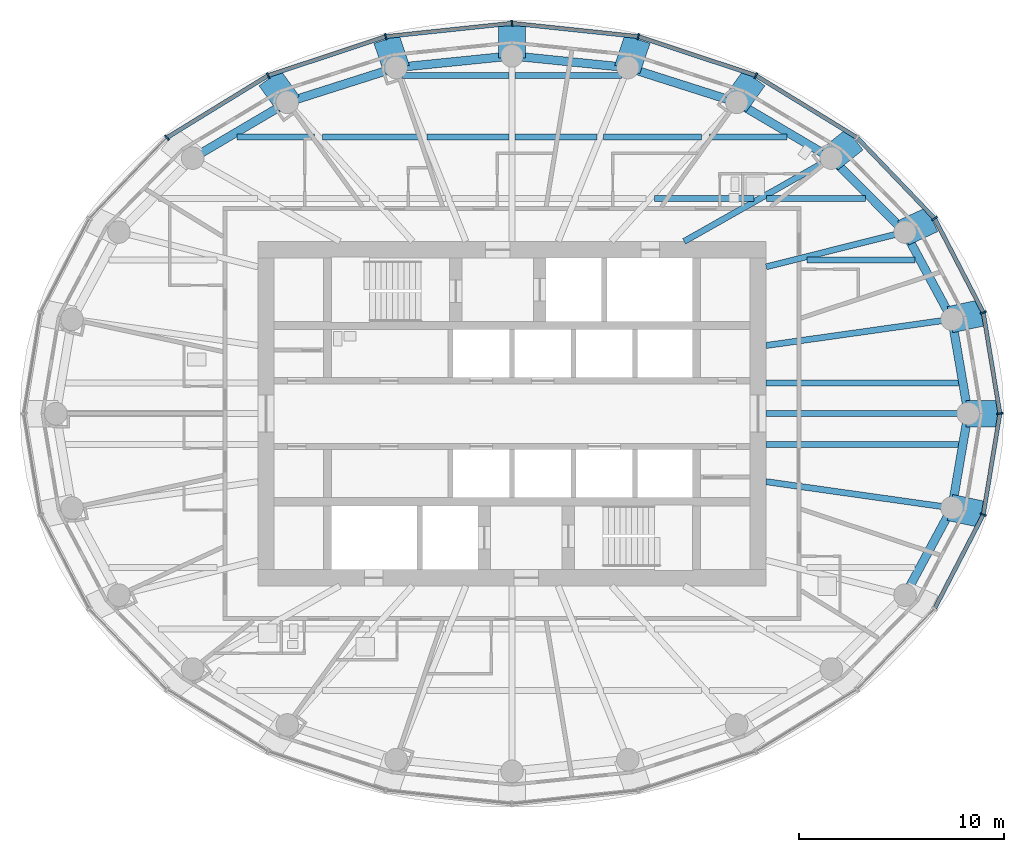
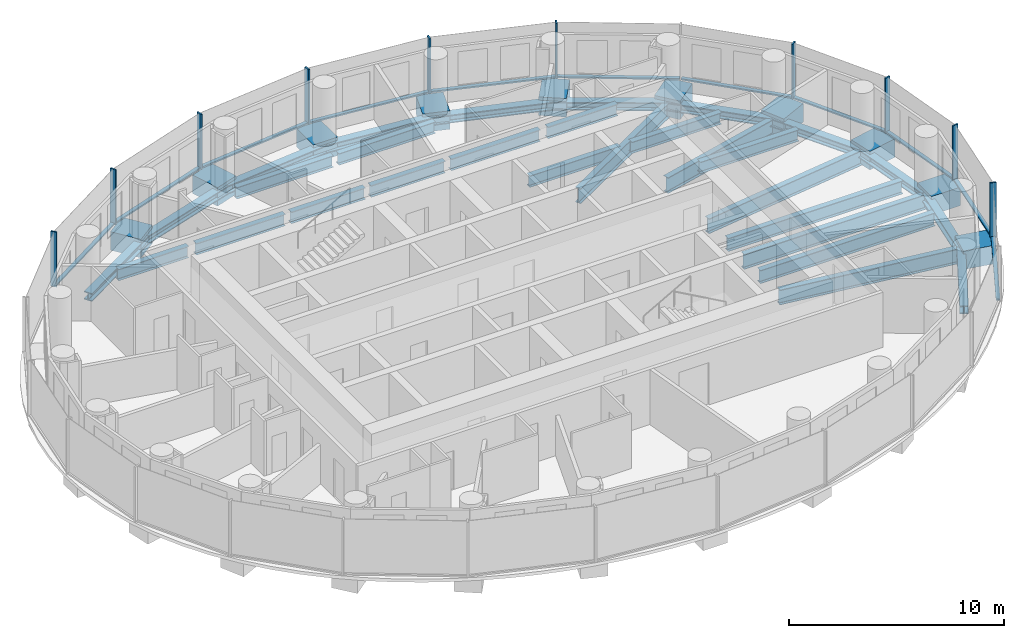
# One storey, part 4 of 16: 39 beams, 21 members, 3 elements without a shape of their own.
"""IFC4 building model written with IfcOpenShell, lengths in metres."""

from ifc_helpers import new_model, si_unit, direction, frame, origin, origin_2d, place, context, subcontext, project, spatial, rectangle, i_section, extrude, material, material_profile, profile_set, type_object, element, aggregate, save


model = new_model("IFC4")

# Units and contexts
model_context = context("Model", 3, precision=1e-05, world=origin(), true_north=direction((0.0, 1.0)))
body_context = subcontext(model_context, "Body", "Model", "MODEL_VIEW")
ifc_project = project(units=[si_unit("LENGTHUNIT", "METRE"), si_unit("AREAUNIT", "SQUARE_METRE"), si_unit("VOLUMEUNIT", "CUBIC_METRE"), si_unit("PLANEANGLEUNIT", "RADIAN"), si_unit("MASSUNIT", "GRAM", prefix="KILO")], contexts=[model_context])

# Site, building, storey
site_placement = place(None, origin())
site = spatial("IfcSite", under=ifc_project, at=site_placement, CompositionType="ELEMENT")
building_placement = place(site_placement, origin())
building = spatial("IfcBuilding", under=site, at=building_placement, Name="Hankou Lantern Tower", CompositionType="ELEMENT")
storey_placement = place(building_placement, frame((0.0, 0.0, 143.39990234375)))
storey = spatial("IfcBuildingStorey", under=building, at=storey_placement, Name="L37", CompositionType="ELEMENT", Elevation=143.39990234375)

# Beams
ifc_material_1 = material(Name="Steel Q355B", Category="steel")
ifc_material_profile_1 = material_profile(ifc_material_1, i_section(OverallWidth=0.4169921875, OverallDepth=0.4580078125, WebThickness=0.030029296875, FlangeThickness=0.050048828125, FilletRadius=0.02197265625, at=origin_2d()), Name="HW458x417x30x50")
ifc_profile_set_1 = profile_set([ifc_material_profile_1], Name="Steel Q355B")
beam_type_1 = type_object("IfcBeamType", Name="EB21 RING BEAM HW458x417x30x50", PredefinedType="SPANDREL", material=ifc_profile_set_1)
beam_1_placement = place(storey_placement, frame((22.25, 0.0, -0.408935546875), z_axis=(-0.168680718946, 0.985670743735, 0.0), x_axis=(-0.985670743735, -0.168680718946, 0.0)))
element("IfcBeam", 1, at=beam_1_placement, inside=storey, type_object=beam_type_1, Name="Ring beam R01-R02 L37", PredefinedType="SPANDREL", context=body_context, shape_type="SweptSolid", body=[
    extrude(i_section(OverallWidth=0.4169921875, OverallDepth=0.4580078125, WebThickness=0.030029296875, FlangeThickness=0.050048828125, FilletRadius=0.02197265625, at=origin_2d()), origin(), (0.0, 0.0, 1.0), 4.667724609375),
])
beam_2_placement = place(storey_placement, frame((21.462646484375, 4.600830078125, -0.408935546875), z_axis=(-0.474051612334, 0.880497057828, 0.0), x_axis=(-0.880497057828, -0.474051612334, 0.0)))
element("IfcBeam", 2, at=beam_2_placement, inside=storey, type_object=beam_type_1, Name="Ring beam R02-R03 L37", PredefinedType="SPANDREL", context=body_context, shape_type="SweptSolid", body=[
    extrude(i_section(OverallWidth=0.4169921875, OverallDepth=0.4580078125, WebThickness=0.030029296875, FlangeThickness=0.050048828125, FilletRadius=0.02197265625, at=origin_2d()), origin(), (0.0, 0.0, 1.0), 4.831787109375),
])
beam_3_placement = place(storey_placement, frame((19.172119140625, 8.855224609375, -0.408935546875), z_axis=(-0.706147278092, 0.708064984054, 0.0), x_axis=(-0.708064984054, -0.706147278092, 0.0)))
element("IfcBeam", 3, at=beam_3_placement, inside=storey, type_object=beam_type_1, Name="Ring beam R03-R04 L37", PredefinedType="SPANDREL", context=body_context, shape_type="SweptSolid", body=[
    extrude(i_section(OverallWidth=0.4169921875, OverallDepth=0.4580078125, WebThickness=0.030029296875, FlangeThickness=0.050048828125, FilletRadius=0.02197265625, at=origin_2d()), origin(), (0.0, 0.0, 1.0), 5.09228515625),
])
beam_4_placement = place(storey_placement, frame((15.576171875, 12.4609375, -0.408935546875), z_axis=(-0.861135888339, 0.508374843806, 0.0), x_axis=(-0.508374843806, -0.861135888339, 0.0)))
element("IfcBeam", 4, at=beam_4_placement, inside=storey, type_object=beam_type_1, Name="Ring beam R04-R05 L37", PredefinedType="SPANDREL", context=body_context, shape_type="SweptSolid", body=[
    extrude(i_section(OverallWidth=0.4169921875, OverallDepth=0.4580078125, WebThickness=0.030029296875, FlangeThickness=0.050048828125, FilletRadius=0.02197265625, at=origin_2d()), origin(), (0.0, 0.0, 1.0), 5.36083984375),
])
beam_5_placement = place(storey_placement, frame((10.959716796875, 15.186279296875, -0.408935546875), z_axis=(-0.952790404271, 0.30362879562, 0.0), x_axis=(-0.30362879562, -0.952790404271, 0.0)))
element("IfcBeam", 5, at=beam_5_placement, inside=storey, type_object=beam_type_1, Name="Ring beam R05-R06 L37", PredefinedType="SPANDREL", context=body_context, shape_type="SweptSolid", body=[
    extrude(i_section(OverallWidth=0.4169921875, OverallDepth=0.4580078125, WebThickness=0.030029296875, FlangeThickness=0.050048828125, FilletRadius=0.02197265625, at=origin_2d()), origin(), (0.0, 0.0, 1.0), 5.56982421875),
])
for number, where, z_axis, x_axis, name in (
    (6, (5.65283203125, 16.87744140625, -0.408935546875), (-0.9949104636, 0.100762936734, 0.0), (-0.100762936734, -0.9949104636, 0.0), "Ring beam R06-R07 L37"),
    (7, (0.0, 17.449951171875, -0.408935546875), (-0.9949104636, -0.100762936734, 0.0), (0.100762936734, -0.9949104636, 0.0), "Ring beam R07-R08 L37"),
):
    element("IfcBeam", number, at=place(storey_placement, frame(where, z_axis=z_axis, x_axis=x_axis)), inside=storey, type_object=beam_type_1, Name=name, PredefinedType="SPANDREL", context=body_context, shape_type="SweptSolid", body=[
        extrude(i_section(OverallWidth=0.4169921875, OverallDepth=0.4580078125, WebThickness=0.030029296875, FlangeThickness=0.050048828125, FilletRadius=0.02197265625, at=origin_2d()), origin(), (0.0, 0.0, 1.0), 5.681640625),
    ])
beam_6_placement = place(storey_placement, frame((-5.65283203125, 16.87744140625, -0.408935546875), z_axis=(-0.952790404271, -0.30362879562, 0.0), x_axis=(0.30362879562, -0.952790404271, 0.0)))
element("IfcBeam", 8, at=beam_6_placement, inside=storey, type_object=beam_type_1, Name="Ring beam R08-R09 L37", PredefinedType="SPANDREL", context=body_context, shape_type="SweptSolid", body=[
    extrude(i_section(OverallWidth=0.4169921875, OverallDepth=0.4580078125, WebThickness=0.030029296875, FlangeThickness=0.050048828125, FilletRadius=0.02197265625, at=origin_2d()), origin(), (0.0, 0.0, 1.0), 5.56982421875),
])
beam_7_placement = place(storey_placement, frame((-10.959716796875, 15.186279296875, -0.408935546875), z_axis=(-0.861135888339, -0.508374843806, 0.0), x_axis=(0.508374843806, -0.861135888339, 0.0)))
element("IfcBeam", 9, at=beam_7_placement, inside=storey, type_object=beam_type_1, Name="Ring beam R09-R10 L37", PredefinedType="SPANDREL", context=body_context, shape_type="SweptSolid", body=[
    extrude(i_section(OverallWidth=0.4169921875, OverallDepth=0.4580078125, WebThickness=0.030029296875, FlangeThickness=0.050048828125, FilletRadius=0.02197265625, at=origin_2d()), origin(), (0.0, 0.0, 1.0), 5.36083984375),
])
beam_8_placement = place(storey_placement, frame((19.172119140625, -8.855224609375, -0.408935546875), z_axis=(0.474051612334, 0.880497057828, 0.0), x_axis=(-0.880497057828, 0.474051612334, 0.0)))
element("IfcBeam", 10, at=beam_8_placement, inside=storey, type_object=beam_type_1, Name="Ring beam R23-R24 L37", PredefinedType="SPANDREL", context=body_context, shape_type="SweptSolid", body=[
    extrude(i_section(OverallWidth=0.4169921875, OverallDepth=0.4580078125, WebThickness=0.030029296875, FlangeThickness=0.050048828125, FilletRadius=0.02197265625, at=origin_2d()), origin(), (0.0, 0.0, 1.0), 4.831787109375),
])
beam_9_placement = place(storey_placement, frame((21.462646484375, -4.600830078125, -0.408935546875), z_axis=(0.168680718946, 0.985670743735, 0.0), x_axis=(-0.985670743735, 0.168680718946, 0.0)))
element("IfcBeam", 11, at=beam_9_placement, inside=storey, type_object=beam_type_1, Name="Ring beam R24-R01 L37", PredefinedType="SPANDREL", context=body_context, shape_type="SweptSolid", body=[
    extrude(i_section(OverallWidth=0.4169921875, OverallDepth=0.4580078125, WebThickness=0.030029296875, FlangeThickness=0.050048828125, FilletRadius=0.02197265625, at=origin_2d()), origin(), (0.0, 0.0, 1.0), 4.667724609375),
])

# Curtain wall, members
ifc_material_2 = material(Name="Glass, dark grey tinted laminated", Category="glass")
curtain_wall_type = type_object("IfcCurtainWallType", Name="CWC OUTER SKIN HIGH-RISE", PredefinedType="USERDEFINED", material=ifc_material_2)
curtain_wall_1_placement = place(storey_placement, origin())
curtain_wall_1 = element("IfcCurtainWall", 12, at=curtain_wall_1_placement, inside=storey, type_object=curtain_wall_type, Name="CWC L37 OS1", ObjectType="OUTER SKIN HIGH-RISE", PredefinedType="USERDEFINED")
ifc_material_3 = material(Name="Aluminium, black anodised", Category="aluminium")
ifc_material_profile_2 = material_profile(ifc_material_3, rectangle(XDim=0.080078125, YDim=0.300048828125, at=origin_2d()), Name="MU1 80X300")
ifc_profile_set_2 = profile_set([ifc_material_profile_2], Name="Aluminium, black anodised")
member_type_1 = type_object("IfcMemberType", Name="MU1 OUTER SKIN MULLION 80X300", PredefinedType="MULLION", material=ifc_profile_set_2)
member_1_placement = place(storey_placement, frame((23.800048828125, 0.0, 0.0), z_axis=(0.0, 0.0, 1.0), x_axis=(-0.162381515188, 0.986728049427, 0.0)))
member_1 = element("IfcMember", 13, at=member_1_placement, type_object=member_type_1, Name="CWC mullion 1", PredefinedType="MULLION", context=body_context, shape_type="SweptSolid", body=[
    extrude(rectangle(XDim=0.080078125, YDim=0.300048828125, at=origin_2d()), origin(), (0.0, 0.0, 1.0), 3.1201171875),
])
member_2_placement = place(storey_placement, frame((22.989013671875, 4.927978515625, 0.0), z_axis=(0.0, 0.0, 1.0), x_axis=(-0.317595577365, 0.94822626479, 0.0)))
member_2 = element("IfcMember", 14, at=member_2_placement, type_object=member_type_1, Name="CWC mullion 2", PredefinedType="MULLION", context=body_context, shape_type="SweptSolid", body=[
    extrude(rectangle(XDim=0.080078125, YDim=0.300048828125, at=origin_2d()), origin(), (0.0, 0.0, 1.0), 3.1201171875),
])
member_3_placement = place(storey_placement, frame((20.611328125, 9.52001953125, 0.0), z_axis=(0.0, 0.0, 1.0), x_axis=(-0.585205735974, 0.810884854084, 0.0)))
member_3 = element("IfcMember", 15, at=member_3_placement, type_object=member_type_1, Name="CWC mullion 3", PredefinedType="MULLION", context=body_context, shape_type="SweptSolid", body=[
    extrude(rectangle(XDim=0.080078125, YDim=0.300048828125, at=origin_2d()), origin(), (0.0, 0.0, 1.0), 3.1201171875),
])
member_4_placement = place(storey_placement, frame((11.89990234375, 16.489013671875, 0.0), z_axis=(0.0, 0.0, 1.0), x_axis=(-0.907841299004, 0.419313934686, 0.0)))
member_4 = element("IfcMember", 16, at=member_4_placement, type_object=member_type_1, Name="CWC mullion 5", PredefinedType="MULLION", context=body_context, shape_type="SweptSolid", body=[
    extrude(rectangle(XDim=0.080078125, YDim=0.300048828125, at=origin_2d()), origin(), (0.0, 0.0, 1.0), 3.1201171875),
])
member_5_placement = place(storey_placement, frame((6.159912109375, 18.39111328125, 0.0), z_axis=(0.0, 0.0, 1.0), x_axis=(-0.977787659625, 0.209597931016, 0.0)))
member_5 = element("IfcMember", 17, at=member_5_placement, type_object=member_type_1, Name="CWC mullion 6", PredefinedType="MULLION", context=body_context, shape_type="SweptSolid", body=[
    extrude(rectangle(XDim=0.080078125, YDim=0.300048828125, at=origin_2d()), origin(), (0.0, 0.0, 1.0), 3.1201171875),
])

curtain_wall_2_placement = place(storey_placement, origin())
curtain_wall_2 = element("IfcCurtainWall", 18, at=curtain_wall_2_placement, inside=storey, type_object=curtain_wall_type, Name="CWC L37 OS2", ObjectType="OUTER SKIN HIGH-RISE", PredefinedType="USERDEFINED")
member_6_placement = place(storey_placement, frame((0.0, 19.0400390625, 0.0), z_axis=(0.0, 0.0, 1.0), x_axis=(-0.994499359107, -0.104742659579, 0.0)))
member_6 = element("IfcMember", 19, at=member_6_placement, type_object=member_type_1, Name="CWC mullion 1", PredefinedType="MULLION", context=body_context, shape_type="SweptSolid", body=[
    extrude(rectangle(XDim=0.080078125, YDim=0.300048828125, at=origin_2d()), origin(), (0.0, 0.0, 1.0), 3.1201171875),
])
member_7_placement = place(storey_placement, frame((-6.159912109375, 18.39111328125, 0.0), z_axis=(0.0, 0.0, 1.0), x_axis=(-0.977787659625, -0.209597931016, 0.0)))
member_7 = element("IfcMember", 20, at=member_7_placement, type_object=member_type_1, Name="CWC mullion 2", PredefinedType="MULLION", context=body_context, shape_type="SweptSolid", body=[
    extrude(rectangle(XDim=0.080078125, YDim=0.300048828125, at=origin_2d()), origin(), (0.0, 0.0, 1.0), 3.1201171875),
])
member_8_placement = place(storey_placement, frame((-11.89990234375, 16.489013671875, 0.0), z_axis=(0.0, 0.0, 1.0), x_axis=(-0.907841299004, -0.419313934686, 0.0)))
member_8 = element("IfcMember", 21, at=member_8_placement, type_object=member_type_1, Name="CWC mullion 3", PredefinedType="MULLION", context=body_context, shape_type="SweptSolid", body=[
    extrude(rectangle(XDim=0.080078125, YDim=0.300048828125, at=origin_2d()), origin(), (0.0, 0.0, 1.0), 3.1201171875),
])
member_9_placement = place(storey_placement, frame((-16.8291015625, 13.46337890625, 0.0), z_axis=(0.0, 0.0, 1.0), x_axis=(-0.780868809444, -0.624695047553, 0.0)))
member_9 = element("IfcMember", 22, at=member_9_placement, type_object=member_type_1, Name="CWC mullion 4", PredefinedType="MULLION", context=body_context, shape_type="SweptSolid", body=[
    extrude(rectangle(XDim=0.080078125, YDim=0.300048828125, at=origin_2d()), origin(), (0.0, 0.0, 1.0), 3.1201171875),
])

# Curtain wall, member
curtain_wall_3_placement = place(storey_placement, origin())
curtain_wall_3 = element("IfcCurtainWall", 23, at=curtain_wall_3_placement, inside=storey, type_object=curtain_wall_type, Name="CWC L37 OS4", ObjectType="OUTER SKIN HIGH-RISE", PredefinedType="USERDEFINED")
member_10_placement = place(storey_placement, frame((22.989013671875, -4.927978515625, 0.0), z_axis=(0.0, 0.0, 1.0), x_axis=(0.317595577365, 0.94822626479, 0.0)))
member_10 = element("IfcMember", 24, at=member_10_placement, type_object=member_type_1, Name="CWC mullion 6", PredefinedType="MULLION", context=body_context, shape_type="SweptSolid", body=[
    extrude(rectangle(XDim=0.080078125, YDim=0.300048828125, at=origin_2d()), origin(), (0.0, 0.0, 1.0), 3.1201171875),
])

# Beams
ifc_material_4 = material(Name="Steel Q355B", Category="steel")
ifc_material_profile_3 = material_profile(ifc_material_4, i_section(OverallWidth=0.300048828125, OverallDepth=0.85009765625, WebThickness=0.01611328125, FlangeThickness=0.027099609375, FilletRadius=0.01806640625, at=origin_2d()), Name="HN850x300x16x27")
ifc_profile_set_3 = profile_set([ifc_material_profile_3], Name="Steel Q355B")
beam_type_2 = type_object("IfcBeamType", Name="RB12 RADIAL BEAM HN850x300x16x27", PredefinedType="BEAM", material=ifc_profile_set_3)
beam_10_placement = place(storey_placement, frame((12.39990234375, 0.0, -0.60498046875), z_axis=(1.0, 0.0, 0.0), x_axis=(0.0, 1.0, 0.0)))
element("IfcBeam", 25, at=beam_10_placement, inside=storey, type_object=beam_type_2, Name="Radial beam R01 L37", PredefinedType="BEAM", context=body_context, shape_type="SweptSolid", body=[
    extrude(i_section(OverallWidth=0.300048828125, OverallDepth=0.85009765625, WebThickness=0.01611328125, FlangeThickness=0.027099609375, FilletRadius=0.01806640625, at=origin_2d()), origin(), (0.0, 0.0, 1.0), 9.85009765625),
])
beam_11_placement = place(storey_placement, frame((12.39990234375, 3.322509765625, -0.60498046875), z_axis=(0.990198154617, 0.13966966239, 0.0), x_axis=(-0.13966966239, 0.990198154617, 0.0)))
element("IfcBeam", 26, at=beam_11_placement, inside=storey, type_object=beam_type_2, Name="Radial beam R02 L37", PredefinedType="BEAM", context=body_context, shape_type="SweptSolid", body=[
    extrude(i_section(OverallWidth=0.300048828125, OverallDepth=0.85009765625, WebThickness=0.01611328125, FlangeThickness=0.027099609375, FilletRadius=0.01806640625, at=origin_2d()), origin(), (0.0, 0.0, 1.0), 9.15234375),
])
beam_12_placement = place(storey_placement, frame((8.39990234375, 8.39990234375, -0.60498046875), z_axis=(0.870309058024, 0.492505983234, 0.0), x_axis=(-0.492505983234, 0.870309058024, 0.0)))
element("IfcBeam", 27, at=beam_12_placement, inside=storey, type_object=beam_type_2, Name="Radial beam R04 L37", PredefinedType="BEAM", context=body_context, shape_type="SweptSolid", body=[
    extrude(i_section(OverallWidth=0.300048828125, OverallDepth=0.85009765625, WebThickness=0.01611328125, FlangeThickness=0.027099609375, FilletRadius=0.01806640625, at=origin_2d()), origin(), (0.0, 0.0, 1.0), 8.24560546875),
])
beam_13_placement = place(storey_placement, frame((12.39990234375, -3.322509765625, -0.60498046875), z_axis=(0.990198154617, -0.13966966239, 0.0), x_axis=(0.13966966239, 0.990198154617, 0.0)))
element("IfcBeam", 28, at=beam_13_placement, inside=storey, type_object=beam_type_2, Name="Radial beam R24 L37", PredefinedType="BEAM", context=body_context, shape_type="SweptSolid", body=[
    extrude(i_section(OverallWidth=0.300048828125, OverallDepth=0.85009765625, WebThickness=0.01611328125, FlangeThickness=0.027099609375, FilletRadius=0.01806640625, at=origin_2d()), origin(), (0.0, 0.0, 1.0), 9.15234375),
])
ifc_material_5 = material(Name="Steel Q355B", Category="steel")
ifc_material_profile_4 = material_profile(ifc_material_5, i_section(OverallWidth=0.300048828125, OverallDepth=0.89990234375, WebThickness=0.01611328125, FlangeThickness=0.028076171875, FilletRadius=0.01806640625, at=origin_2d()), Name="HN900x300x16x28")
ifc_profile_set_4 = profile_set([ifc_material_profile_4], Name="Steel Q355B")
beam_type_3 = type_object("IfcBeamType", Name="RB13 RADIAL BEAM HN900x300x16x28", PredefinedType="BEAM", material=ifc_profile_set_4)
beam_14_placement = place(storey_placement, frame((12.39990234375, 7.1591796875, -0.6298828125), z_axis=(0.970041619568, 0.242938791274, 0.0), x_axis=(-0.242938791274, 0.970041619568, 0.0)))
element("IfcBeam", 29, at=beam_14_placement, inside=storey, type_object=beam_type_3, Name="Radial beam R03 L37", PredefinedType="BEAM", context=body_context, shape_type="SweptSolid", body=[
    extrude(i_section(OverallWidth=0.300048828125, OverallDepth=0.89990234375, WebThickness=0.01611328125, FlangeThickness=0.028076171875, FilletRadius=0.01806640625, at=origin_2d()), origin(), (0.0, 0.0, 1.0), 6.9814453125),
])
ifc_material_6 = material(Name="Steel Q355B", Category="steel")
ifc_material_profile_5 = material_profile(ifc_material_6, i_section(OverallWidth=0.300048828125, OverallDepth=0.75, WebThickness=0.012939453125, FlangeThickness=0.02392578125, FilletRadius=0.01806640625, at=origin_2d()), Name="HN750x300x13x24")
ifc_profile_set_5 = profile_set([ifc_material_profile_5], Name="Steel Q355B")
beam_type_4 = type_object("IfcBeamType", Name="SB10 SECONDARY BEAM HN750x300x13x24", PredefinedType="JOIST", material=ifc_profile_set_5)
for number, where, z_axis, x_axis, name in (
    (30, (12.39990234375, -1.5, -0.554931640625), (1.0, 0.0, 0.0), (0.0, 1.0, 0.0), "Floor joist J020 L37"),
    (31, (12.39990234375, 1.5, -0.554931640625), (1.0, 0.0, 0.0), (0.0, 1.0, 0.0), "Floor joist J022 L37"),
):
    element("IfcBeam", number, at=place(storey_placement, frame(where, z_axis=z_axis, x_axis=x_axis)), inside=storey, type_object=beam_type_4, Name=name, PredefinedType="JOIST", context=body_context, shape_type="SweptSolid", body=[
        extrude(i_section(OverallWidth=0.300048828125, OverallDepth=0.75, WebThickness=0.012939453125, FlangeThickness=0.02392578125, FilletRadius=0.01806640625, at=origin_2d()), origin(), (0.0, 0.0, 1.0), 9.3818359375),
    ])
ifc_material_7 = material(Name="Steel Q355B", Category="steel")
ifc_material_profile_6 = material_profile(ifc_material_7, i_section(OverallWidth=0.300048828125, OverallDepth=0.64990234375, WebThickness=0.010986328125, FlangeThickness=0.01708984375, FilletRadius=0.01806640625, at=origin_2d()), Name="HN650x300x11x17")
ifc_profile_set_6 = profile_set([ifc_material_profile_6], Name="Steel Q355B")
beam_type_5 = type_object("IfcBeamType", Name="SB8 SECONDARY BEAM HN650x300x11x17", PredefinedType="JOIST", material=ifc_profile_set_6)
beam_15_placement = place(storey_placement, frame((14.37841796875, 7.5, -0.5048828125), z_axis=(1.0, 0.0, 0.0), x_axis=(0.0, 1.0, 0.0)))
element("IfcBeam", 32, at=beam_15_placement, inside=storey, type_object=beam_type_5, Name="Floor joist J026 L37", PredefinedType="JOIST", context=body_context, shape_type="SweptSolid", body=[
    extrude(i_section(OverallWidth=0.300048828125, OverallDepth=0.64990234375, WebThickness=0.010986328125, FlangeThickness=0.01708984375, FilletRadius=0.01806640625, at=origin_2d()), origin(), (0.0, 0.0, 1.0), 5.28662109375),
])
beam_16_placement = place(storey_placement, frame((6.9423828125, 10.5, -0.5048828125), z_axis=(1.0, 0.0, 0.0), x_axis=(0.0, 1.0, 0.0)))
element("IfcBeam", 33, at=beam_16_placement, inside=storey, type_object=beam_type_5, Name="Floor joist J033 L37", PredefinedType="JOIST", context=body_context, shape_type="SweptSolid", body=[
    extrude(i_section(OverallWidth=0.300048828125, OverallDepth=0.64990234375, WebThickness=0.010986328125, FlangeThickness=0.01708984375, FilletRadius=0.01806640625, at=origin_2d()), origin(), (0.0, 0.0, 1.0), 4.864013671875),
])
beam_17_placement = place(storey_placement, frame((12.41552734375, 10.5, -0.5048828125), z_axis=(1.0, 0.0, 0.0), x_axis=(0.0, 1.0, 0.0)))
element("IfcBeam", 34, at=beam_17_placement, inside=storey, type_object=beam_type_5, Name="Floor joist J034 L37", PredefinedType="JOIST", context=body_context, shape_type="SweptSolid", body=[
    extrude(i_section(OverallWidth=0.300048828125, OverallDepth=0.64990234375, WebThickness=0.010986328125, FlangeThickness=0.01708984375, FilletRadius=0.01806640625, at=origin_2d()), origin(), (0.0, 0.0, 1.0), 4.82177734375),
])
beam_18_placement = place(storey_placement, frame((-13.40576171875, 13.5, -0.5048828125), z_axis=(1.0, 0.0, 0.0), x_axis=(0.0, 1.0, 0.0)))
element("IfcBeam", 35, at=beam_18_placement, inside=storey, type_object=beam_type_5, Name="Floor joist J035 L37", PredefinedType="JOIST", context=body_context, shape_type="SweptSolid", body=[
    extrude(i_section(OverallWidth=0.300048828125, OverallDepth=0.64990234375, WebThickness=0.010986328125, FlangeThickness=0.01708984375, FilletRadius=0.01806640625, at=origin_2d()), origin(), (0.0, 0.0, 1.0), 3.762451171875),
])
beam_19_placement = place(storey_placement, frame((-9.23974609375, 13.5, -0.5048828125), z_axis=(1.0, 0.0, 0.0), x_axis=(0.0, 1.0, 0.0)))
element("IfcBeam", 36, at=beam_19_placement, inside=storey, type_object=beam_type_5, Name="Floor joist J036 L37", PredefinedType="JOIST", context=body_context, shape_type="SweptSolid", body=[
    extrude(i_section(OverallWidth=0.300048828125, OverallDepth=0.64990234375, WebThickness=0.010986328125, FlangeThickness=0.01708984375, FilletRadius=0.01806640625, at=origin_2d()), origin(), (0.0, 0.0, 1.0), 4.780517578125),
])
for number, where, z_axis, x_axis, name in (
    (37, (-4.135986328125, 13.5, -0.5048828125), (1.0, 0.0, 0.0), (0.0, 1.0, 0.0), "Floor joist J037 L37"),
    (38, (0.14990234375, 13.5, -0.5048828125), (1.0, 0.0, 0.0), (0.0, 1.0, 0.0), "Floor joist J038 L37"),
):
    element("IfcBeam", number, at=place(storey_placement, frame(where, z_axis=z_axis, x_axis=x_axis)), inside=storey, type_object=beam_type_5, Name=name, PredefinedType="JOIST", context=body_context, shape_type="SweptSolid", body=[
        extrude(i_section(OverallWidth=0.300048828125, OverallDepth=0.64990234375, WebThickness=0.010986328125, FlangeThickness=0.01708984375, FilletRadius=0.01806640625, at=origin_2d()), origin(), (0.0, 0.0, 1.0), 3.986083984375),
    ])
beam_20_placement = place(storey_placement, frame((4.459228515625, 13.5, -0.5048828125), z_axis=(1.0, 0.0, 0.0), x_axis=(0.0, 1.0, 0.0)))
element("IfcBeam", 39, at=beam_20_placement, inside=storey, type_object=beam_type_5, Name="Floor joist J039 L37", PredefinedType="JOIST", context=body_context, shape_type="SweptSolid", body=[
    extrude(i_section(OverallWidth=0.300048828125, OverallDepth=0.64990234375, WebThickness=0.010986328125, FlangeThickness=0.01708984375, FilletRadius=0.01806640625, at=origin_2d()), origin(), (0.0, 0.0, 1.0), 4.780517578125),
])
beam_21_placement = place(storey_placement, frame((9.643310546875, 13.5, -0.5048828125), z_axis=(1.0, 0.0, 0.0), x_axis=(0.0, 1.0, 0.0)))
element("IfcBeam", 40, at=beam_21_placement, inside=storey, type_object=beam_type_5, Name="Floor joist J040 L37", PredefinedType="JOIST", context=body_context, shape_type="SweptSolid", body=[
    extrude(i_section(OverallWidth=0.300048828125, OverallDepth=0.64990234375, WebThickness=0.010986328125, FlangeThickness=0.01708984375, FilletRadius=0.01806640625, at=origin_2d()), origin(), (0.0, 0.0, 1.0), 3.762451171875),
])
for number, where, z_axis, x_axis, name in (
    (41, (-5.33984375, 16.5, -0.5048828125), (1.0, 0.0, 0.0), (0.0, 1.0, 0.0), "Floor joist J041 L37"),
    (42, (0.14990234375, 16.5, -0.5048828125), (1.0, 0.0, 0.0), (0.0, 1.0, 0.0), "Floor joist J042 L37"),
):
    element("IfcBeam", number, at=place(storey_placement, frame(where, z_axis=z_axis, x_axis=x_axis)), inside=storey, type_object=beam_type_5, Name=name, PredefinedType="JOIST", context=body_context, shape_type="SweptSolid", body=[
        extrude(i_section(OverallWidth=0.300048828125, OverallDepth=0.64990234375, WebThickness=0.010986328125, FlangeThickness=0.01708984375, FilletRadius=0.01806640625, at=origin_2d()), origin(), (0.0, 0.0, 1.0), 5.18994140625),
    ])
ifc_material_8 = material(Name="Concrete C60", Category="concrete")
ifc_material_profile_7 = material_profile(ifc_material_8, rectangle(XDim=1.300048828125, YDim=1.050048828125, at=origin_2d()), Name="RC 1300x1050")
ifc_profile_set_7 = profile_set([ifc_material_profile_7], Name="Concrete C60")
beam_type_6 = type_object("IfcBeamType", Name="TN2 TRANSFER NODE RC 1300x1050", PredefinedType="BEAM", material=ifc_profile_set_7)
for number, where, z_axis, x_axis, name in (
    (43, (23.7099609375, 0.0, -0.52490234375), (-1.0, 0.0, 0.0), (0.0, -1.0, 0.0), "Transfer node R01 L37"),
    (44, (22.890380859375, 4.90673828125, -0.52490234375), (-0.977797833422, -0.209550463981, 0.0), (0.209550463981, -0.977797833422, 0.0), "Transfer node R02 L37"),
):
    element("IfcBeam", number, at=place(storey_placement, frame(where, z_axis=z_axis, x_axis=x_axis)), inside=storey, type_object=beam_type_6, Name=name, PredefinedType="BEAM", context=body_context, shape_type="SweptSolid", body=[
        extrude(rectangle(XDim=1.300048828125, YDim=1.050048828125, at=origin_2d()), origin(), (0.0, 0.0, 1.0), 1.56005859375),
    ])
beam_22_placement = place(storey_placement, frame((20.49755859375, 9.467529296875, -0.52490234375), z_axis=(-0.907776062838, -0.419455146277, 0.0), x_axis=(0.419455146277, -0.907776062838, 0.0)))
element("IfcBeam", 45, at=beam_22_placement, inside=storey, type_object=beam_type_6, Name="Transfer node R03 L37", PredefinedType="BEAM", context=body_context, shape_type="SweptSolid", body=[
    extrude(rectangle(XDim=1.300048828125, YDim=1.050048828125, at=origin_2d()), origin(), (0.0, 0.0, 1.0), 1.559814453125),
])
for number, where, z_axis, x_axis, name in (
    (46, (16.71630859375, 13.373046875, -0.52490234375), (-0.780868809443, -0.624695047554, 0.0), (0.624695047554, -0.780868809443, 0.0), "Transfer node R04 L37"),
    (47, (11.814208984375, 16.3701171875, -0.52490234375), (-0.585301978725, -0.810815388175, 0.0), (0.810815388175, -0.585301978725, 0.0), "Transfer node R05 L37"),
    (48, (6.116455078125, 18.261962890625, -0.52490234375), (-0.31754207721, -0.948244182266, 0.0), (0.948244182266, -0.31754207721, 0.0), "Transfer node R06 L37"),
):
    element("IfcBeam", number, at=place(storey_placement, frame(where, z_axis=z_axis, x_axis=x_axis)), inside=storey, type_object=beam_type_6, Name=name, PredefinedType="BEAM", context=body_context, shape_type="SweptSolid", body=[
        extrude(rectangle(XDim=1.300048828125, YDim=1.050048828125, at=origin_2d()), origin(), (0.0, 0.0, 1.0), 1.56005859375),
    ])
beam_23_placement = place(storey_placement, frame((0.0, 18.909912109375, -0.52490234375), z_axis=(0.0, -1.0, 0.0), x_axis=(1.0, 0.0, 0.0)))
element("IfcBeam", 49, at=beam_23_placement, inside=storey, type_object=beam_type_6, Name="Transfer node R07 L37", PredefinedType="BEAM", context=body_context, shape_type="SweptSolid", body=[
    extrude(rectangle(XDim=1.300048828125, YDim=1.050048828125, at=origin_2d()), origin(), (0.0, 0.0, 1.0), 1.559814453125),
])
for number, where, z_axis, x_axis, name in (
    (50, (-6.116455078125, 18.261962890625, -0.52490234375), (0.31754207721, -0.948244182266, 0.0), (0.948244182266, 0.31754207721, 0.0), "Transfer node R08 L37"),
    (51, (-11.814208984375, 16.3701171875, -0.52490234375), (0.585301978725, -0.810815388175, 0.0), (0.810815388175, 0.585301978725, 0.0), "Transfer node R09 L37"),
    (52, (22.890380859375, -4.90673828125, -0.52490234375), (-0.977797833422, 0.209550463981, 0.0), (-0.209550463981, -0.977797833422, 0.0), "Transfer node R24 L37"),
):
    element("IfcBeam", number, at=place(storey_placement, frame(where, z_axis=z_axis, x_axis=x_axis)), inside=storey, type_object=beam_type_6, Name=name, PredefinedType="BEAM", context=body_context, shape_type="SweptSolid", body=[
        extrude(rectangle(XDim=1.300048828125, YDim=1.050048828125, at=origin_2d()), origin(), (0.0, 0.0, 1.0), 1.56005859375),
    ])

# Member
ifc_material_9 = material(Name="Aluminium, black anodised", Category="aluminium")
ifc_material_profile_8 = material_profile(ifc_material_9, rectangle(XDim=0.199951171875, YDim=0.080078125, at=origin_2d()), Name="TR1 200X80")
ifc_profile_set_8 = profile_set([ifc_material_profile_8], Name="Aluminium, black anodised")
member_type_2 = type_object("IfcMemberType", Name="TR1 OUTER SKIN TRANSOM 200X80", PredefinedType="USERDEFINED", material=ifc_profile_set_8)
member_11_placement = place(storey_placement, frame((23.79345703125, 0.03955078125, 0.0400390625), z_axis=(-0.162360337061, 0.986731534385, 0.0), x_axis=(-0.986731534385, -0.162360337061, 0.0)))
member_11 = element("IfcMember", 53, at=member_11_placement, type_object=member_type_2, Name="CWC transom 1", ObjectType="TRANSOM", PredefinedType="USERDEFINED", context=body_context, shape_type="SweptSolid", body=[
    extrude(rectangle(XDim=0.199951171875, YDim=0.080078125, at=origin_2d()), origin(), (0.0, 0.0, 1.0), 4.9140625),
])

member_12_placement = place(storey_placement, frame((22.970703125, 4.96337890625, 0.0400390625), z_axis=(-0.459790772977, 0.888027277219, 0.0), x_axis=(-0.888027277219, -0.459790772977, 0.0)))
member_12 = element("IfcMember", 54, at=member_12_placement, type_object=member_type_2, Name="CWC transom 2", ObjectType="TRANSOM", PredefinedType="USERDEFINED", context=body_context, shape_type="SweptSolid", body=[
    extrude(rectangle(XDim=0.199951171875, YDim=0.080078125, at=origin_2d()), origin(), (0.0, 0.0, 1.0), 5.091064453125),
])

member_13_placement = place(storey_placement, frame((20.583740234375, 9.548828125, 0.0400390625), z_axis=(-0.692215543831, 0.721690820836, 0.0), x_axis=(-0.721690820836, -0.692215543831, 0.0)))
member_13 = element("IfcMember", 55, at=member_13_placement, type_object=member_type_2, Name="CWC transom 3", ObjectType="TRANSOM", PredefinedType="USERDEFINED", context=body_context, shape_type="SweptSolid", body=[
    extrude(rectangle(XDim=0.199951171875, YDim=0.080078125, at=origin_2d()), origin(), (0.0, 0.0, 1.0), 5.3837890625),
])

member_14_placement = place(storey_placement, frame((16.795166015625, 13.484130859375, 0.0400390625), z_axis=(-0.852229482357, 0.523168146394, 0.0), x_axis=(-0.523168146394, -0.852229482357, 0.0)))
member_14 = element("IfcMember", 56, at=member_14_placement, type_object=member_type_2, Name="CWC transom 4", ObjectType="TRANSOM", PredefinedType="USERDEFINED", context=body_context, shape_type="SweptSolid", body=[
    extrude(rectangle(XDim=0.199951171875, YDim=0.080078125, at=origin_2d()), origin(), (0.0, 0.0, 1.0), 5.703857421875),
])

member_15_placement = place(storey_placement, frame((11.862060546875, 16.501708984375, 0.0400390625), z_axis=(-0.949242327551, 0.314545709849, 0.0), x_axis=(-0.314545709849, -0.949242327551, 0.0)))
member_15 = element("IfcMember", 57, at=member_15_placement, type_object=member_type_2, Name="CWC transom 5", ObjectType="TRANSOM", PredefinedType="USERDEFINED", context=body_context, shape_type="SweptSolid", body=[
    extrude(rectangle(XDim=0.199951171875, YDim=0.080078125, at=origin_2d()), origin(), (0.0, 0.0, 1.0), 5.96728515625),
])

member_16_placement = place(storey_placement, frame((6.1201171875, 18.3955078125, 0.0400390625), z_axis=(-0.994499543631, 0.104740907567, 0.0), x_axis=(-0.104740907567, -0.994499543631, 0.0)))
member_16 = element("IfcMember", 58, at=member_16_placement, type_object=member_type_2, Name="CWC transom 6", ObjectType="TRANSOM", PredefinedType="USERDEFINED", context=body_context, shape_type="SweptSolid", body=[
    extrude(rectangle(XDim=0.199951171875, YDim=0.080078125, at=origin_2d()), origin(), (0.0, 0.0, 1.0), 6.114013671875),
])

aggregate(curtain_wall_1, [member_1, member_2, member_3, member_4, member_5, member_11, member_12, member_13, member_14, member_15, member_16])

member_17_placement = place(storey_placement, frame((-0.039794921875, 19.035888671875, 0.0400390625), z_axis=(-0.994499543631, -0.104740907567, 0.0), x_axis=(0.104740907567, -0.994499543631, 0.0)))
member_17 = element("IfcMember", 59, at=member_17_placement, type_object=member_type_2, Name="CWC transom 1", ObjectType="TRANSOM", PredefinedType="USERDEFINED", context=body_context, shape_type="SweptSolid", body=[
    extrude(rectangle(XDim=0.199951171875, YDim=0.080078125, at=origin_2d()), origin(), (0.0, 0.0, 1.0), 6.114013671875),
])

member_18_placement = place(storey_placement, frame((-6.19775390625, 18.378662109375, 0.0400390625), z_axis=(-0.949242327551, -0.314545709849, 0.0), x_axis=(0.314545709849, -0.949242327551, 0.0)))
member_18 = element("IfcMember", 60, at=member_18_placement, type_object=member_type_2, Name="CWC transom 2", ObjectType="TRANSOM", PredefinedType="USERDEFINED", context=body_context, shape_type="SweptSolid", body=[
    extrude(rectangle(XDim=0.199951171875, YDim=0.080078125, at=origin_2d()), origin(), (0.0, 0.0, 1.0), 5.96728515625),
])

member_19_placement = place(storey_placement, frame((-11.93408203125, 16.46826171875, 0.0400390625), z_axis=(-0.852229482357, -0.523168146394, 0.0), x_axis=(0.523168146394, -0.852229482357, 0.0)))
member_19 = element("IfcMember", 61, at=member_19_placement, type_object=member_type_2, Name="CWC transom 3", ObjectType="TRANSOM", PredefinedType="USERDEFINED", context=body_context, shape_type="SweptSolid", body=[
    extrude(rectangle(XDim=0.199951171875, YDim=0.080078125, at=origin_2d()), origin(), (0.0, 0.0, 1.0), 5.703857421875),
])

aggregate(curtain_wall_2, [member_6, member_7, member_8, member_9, member_17, member_18, member_19])

member_20_placement = place(storey_placement, frame((20.6298828125, -9.484375, 0.0400390625), z_axis=(0.459790772977, 0.888027277219, 0.0), x_axis=(-0.888027277219, 0.459790772977, 0.0)))
member_20 = element("IfcMember", 62, at=member_20_placement, type_object=member_type_2, Name="CWC transom 5", ObjectType="TRANSOM", PredefinedType="USERDEFINED", context=body_context, shape_type="SweptSolid", body=[
    extrude(rectangle(XDim=0.199951171875, YDim=0.080078125, at=origin_2d()), origin(), (0.0, 0.0, 1.0), 5.091064453125),
])

member_21_placement = place(storey_placement, frame((22.99560546875, -4.888427734375, 0.0400390625), z_axis=(0.162360337061, 0.986731534385, 0.0), x_axis=(-0.986731534385, 0.162360337061, 0.0)))
member_21 = element("IfcMember", 63, at=member_21_placement, type_object=member_type_2, Name="CWC transom 6", ObjectType="TRANSOM", PredefinedType="USERDEFINED", context=body_context, shape_type="SweptSolid", body=[
    extrude(rectangle(XDim=0.199951171875, YDim=0.080078125, at=origin_2d()), origin(), (0.0, 0.0, 1.0), 4.9140625),
])

aggregate(curtain_wall_3, [member_10, member_20, member_21])

save(model, "model.ifc")
